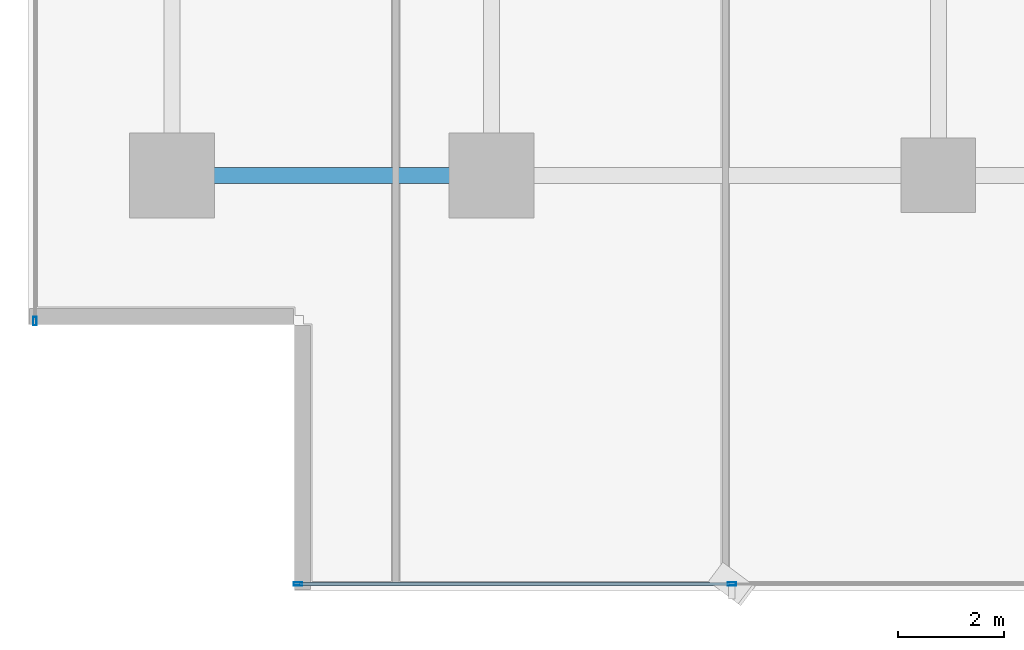
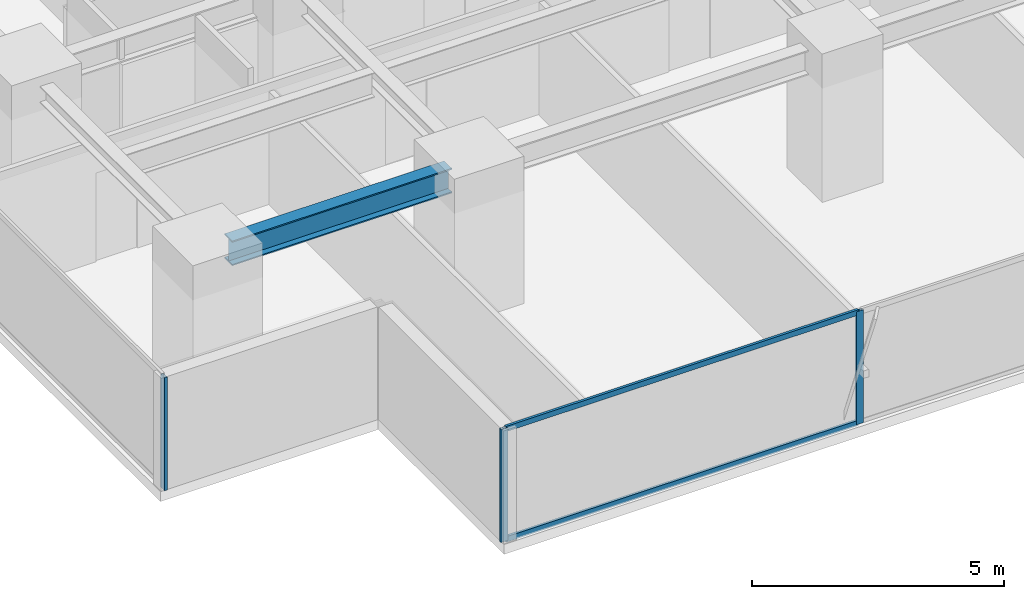
# One storey, part 2 of 36: 5 members, 1 beam, 2 elements without a shape of their own.
"""IFC4 building model written with IfcOpenShell, lengths in metres."""

from ifc_helpers import new_model, si_unit, direction, frame, origin, origin_2d, place, context, subcontext, project, spatial, hollow_rectangle, i_section, extrude, source, transform, mapped, material, layer, layer_set, material_profile, profile_set, type_object, element, aggregate, save


model = new_model("IFC4")

# Units and contexts
model_context = context("Model", 3, precision=1e-05, world=origin(), true_north=direction((0.0, 1.0)))
body_context = subcontext(model_context, "Body", "Model", "MODEL_VIEW")
ifc_project = project(units=[si_unit("LENGTHUNIT", "METRE"), si_unit("AREAUNIT", "SQUARE_METRE"), si_unit("VOLUMEUNIT", "CUBIC_METRE"), si_unit("PLANEANGLEUNIT", "RADIAN"), si_unit("MASSUNIT", "GRAM", prefix="KILO")], contexts=[model_context])

# Site, building, storey
site_placement = place(None, origin())
site = spatial("IfcSite", under=ifc_project, at=site_placement, CompositionType="ELEMENT")
building_placement = place(site_placement, origin())
building = spatial("IfcBuilding", under=site, at=building_placement, Name="Sumidabori Civic Tower", CompositionType="ELEMENT")
storey_placement = place(building_placement, frame((0.0, 0.0, 84.800048828125)))
storey = spatial("IfcBuildingStorey", under=building, at=storey_placement, Name="L21", CompositionType="ELEMENT", Elevation=84.800048828125)

# Beam
ifc_material_1 = material(Name="Steel SN490", Category="steel")
ifc_material_profile_1 = material_profile(ifc_material_1, i_section(OverallWidth=0.300048828125, OverallDepth=0.60009765625, WebThickness=0.015380859375, FlangeThickness=0.030029296875, at=origin_2d()), Name="HE 600 B")
ifc_profile_set_1 = profile_set([ifc_material_profile_1], Name="Steel SN490")
beam_type = type_object("IfcBeamType", Name="BM-GIRD-600", PredefinedType="BEAM", material=ifc_profile_set_1)
shared_shape_1 = source(origin(), body_context, "Body", "SweptSolid", [
    extrude(i_section(OverallWidth=0.300048828125, OverallDepth=0.60009765625, WebThickness=0.015380859375, FlangeThickness=0.030029296875, at=origin_2d()), origin(), (0.0, 0.0, 1.0), 5.0400390625),
])
beam_placement = place(storey_placement, frame((-22.320068359375, -18.0, 3.06005859375), z_axis=(1.0, 0.0, 0.0), x_axis=(0.0, 1.0, 0.0)))
element("IfcBeam", 1, at=beam_placement, inside=storey, type_object=beam_type, Name="Primary Girder L21 GX-01", PredefinedType="BEAM", context=body_context, shape_type="MappedRepresentation", body=[
    mapped(shared_shape_1, transform((0.0, 0.0, 0.0), x_axis=(1.0, 0.0, 0.0), y_axis=(0.0, 1.0, 0.0), z_axis=(0.0, 0.0, 1.0), scale=1.0)),
])

# Curtain wall, members
ifc_material_2 = material(Name="Anodised Bronze Aluminium AW-6063-T6", Category="aluminium")
ifc_layer = layer(ifc_material_2, 0.179931640625, Name="Anodised Bronze Aluminium AW-6063-T6")
ifc_layer_set = layer_set([ifc_layer], Name="Anodised Bronze Aluminium AW-6063-T6")
curtain_wall_type = type_object("IfcCurtainWallType", Name="CW-SYS-3", PredefinedType="NOTDEFINED", material=ifc_layer_set)
curtain_wall_1_placement = place(storey_placement, origin())
curtain_wall_1 = element("IfcCurtainWall", 2, at=curtain_wall_1_placement, inside=storey, type_object=curtain_wall_type, Name="Curtain Wall CW:L21:R01", PredefinedType="NOTDEFINED")
ifc_material_profile_2 = material_profile(ifc_material_2, hollow_rectangle(XDim=0.06494140625, YDim=0.159912109375, WallThickness=0.0048828125, at=origin_2d()), Name="ALU MULLION 160x65")
ifc_profile_set_2 = profile_set([ifc_material_profile_2], Name="Anodised Bronze Aluminium AW-6063-T6")
member_type_1 = type_object("IfcMemberType", Name="CW-MUL-160", PredefinedType="MULLION", material=ifc_profile_set_2)
shared_shape_2 = source(origin(), body_context, "Body", "SweptSolid", [
    extrude(hollow_rectangle(XDim=0.06494140625, YDim=0.159912109375, WallThickness=0.0048828125, at=origin_2d()), origin(), (0.0, 0.0, 1.0), 2.739990234375),
])
member_1_placement = place(storey_placement, frame((-20.4375, -25.679931640625, 0.0), z_axis=(0.0, 0.0, 1.0), x_axis=(0.0, 1.0, 0.0)))
member_1 = element("IfcMember", 3, at=member_1_placement, type_object=member_type_1, Name="CW-3 mullion 1", PredefinedType="MULLION", context=body_context, shape_type="MappedRepresentation", body=[
    mapped(shared_shape_2, transform((0.0, 0.0, 0.0), x_axis=(1.0, 0.0, 0.0), y_axis=(0.0, 1.0, 0.0), z_axis=(0.0, 0.0, 1.0), scale=1.0)),
])
member_2_placement = place(storey_placement, frame((-12.281982421875, -25.679931640625, 0.0), z_axis=(0.0, 0.0, 1.0), x_axis=(0.0, 1.0, 0.0)))
member_2 = element("IfcMember", 4, at=member_2_placement, type_object=member_type_1, Name="CW-3 mullion 2", PredefinedType="MULLION", context=body_context, shape_type="MappedRepresentation", body=[
    mapped(shared_shape_2, transform((0.0, 0.0, 0.0), x_axis=(1.0, 0.0, 0.0), y_axis=(0.0, 1.0, 0.0), z_axis=(0.0, 0.0, 1.0), scale=1.0)),
])

# Curtain wall, member
curtain_wall_2_placement = place(storey_placement, origin())
curtain_wall_2 = element("IfcCurtainWall", 5, at=curtain_wall_2_placement, inside=storey, type_object=curtain_wall_type, Name="Curtain Wall CW:L21:R10", PredefinedType="NOTDEFINED")
member_3_placement = place(storey_placement, frame((-25.3798828125, -20.737548828125, 0.0), z_axis=(0.0, 0.0, 1.0), x_axis=(1.0, 0.0, 0.0)))
member_3 = element("IfcMember", 6, at=member_3_placement, type_object=member_type_1, Name="CW-3 mullion 6", PredefinedType="MULLION", context=body_context, shape_type="MappedRepresentation", body=[
    mapped(shared_shape_2, transform((0.0, 0.0, 0.0), x_axis=(1.0, 0.0, 0.0), y_axis=(0.0, 1.0, 0.0), z_axis=(0.0, 0.0, 1.0), scale=1.0)),
])
aggregate(curtain_wall_2, [member_3])

# Member
ifc_material_profile_3 = material_profile(ifc_material_2, hollow_rectangle(XDim=0.06005859375, YDim=0.1298828125, WallThickness=0.0048828125, at=origin_2d()), Name="ALU TRANSOM 130x60")
ifc_profile_set_3 = profile_set([ifc_material_profile_3], Name="Anodised Bronze Aluminium AW-6063-T6")
member_type_2 = type_object("IfcMemberType", Name="CW-TRN-130", PredefinedType="USERDEFINED", material=ifc_profile_set_3)
shared_shape_3 = source(origin(), body_context, "Body", "SweptSolid", [
    extrude(hollow_rectangle(XDim=0.06005859375, YDim=0.1298828125, WallThickness=0.0048828125, at=origin_2d()), origin(), (0.0, 0.0, 1.0), 8.090576171875),
])
member_4_placement = place(storey_placement, frame((-20.405029296875, -25.679931640625, 0.030029296875), z_axis=(1.0, 0.0, 0.0), x_axis=(0.0, 1.0, 0.0)))
member_4 = element("IfcMember", 7, at=member_4_placement, type_object=member_type_2, Name="CW-3 transom 1.1", ObjectType="TRANSOM", PredefinedType="USERDEFINED", context=body_context, shape_type="MappedRepresentation", body=[
    mapped(shared_shape_3, transform((0.0, 0.0, 0.0), x_axis=(1.0, 0.0, 0.0), y_axis=(0.0, 1.0, 0.0), z_axis=(0.0, 0.0, 1.0), scale=1.0)),
])

member_5_placement = place(storey_placement, frame((-20.405029296875, -25.679931640625, 2.7099609375), z_axis=(1.0, 0.0, 0.0), x_axis=(0.0, 1.0, 0.0)))
member_5 = element("IfcMember", 8, at=member_5_placement, type_object=member_type_2, Name="CW-3 transom 1.2", ObjectType="TRANSOM", PredefinedType="USERDEFINED", context=body_context, shape_type="MappedRepresentation", body=[
    mapped(shared_shape_3, transform((0.0, 0.0, 0.0), x_axis=(1.0, 0.0, 0.0), y_axis=(0.0, 1.0, 0.0), z_axis=(0.0, 0.0, 1.0), scale=1.0)),
])

aggregate(curtain_wall_1, [member_1, member_2, member_4, member_5])

save(model, "model.ifc")
